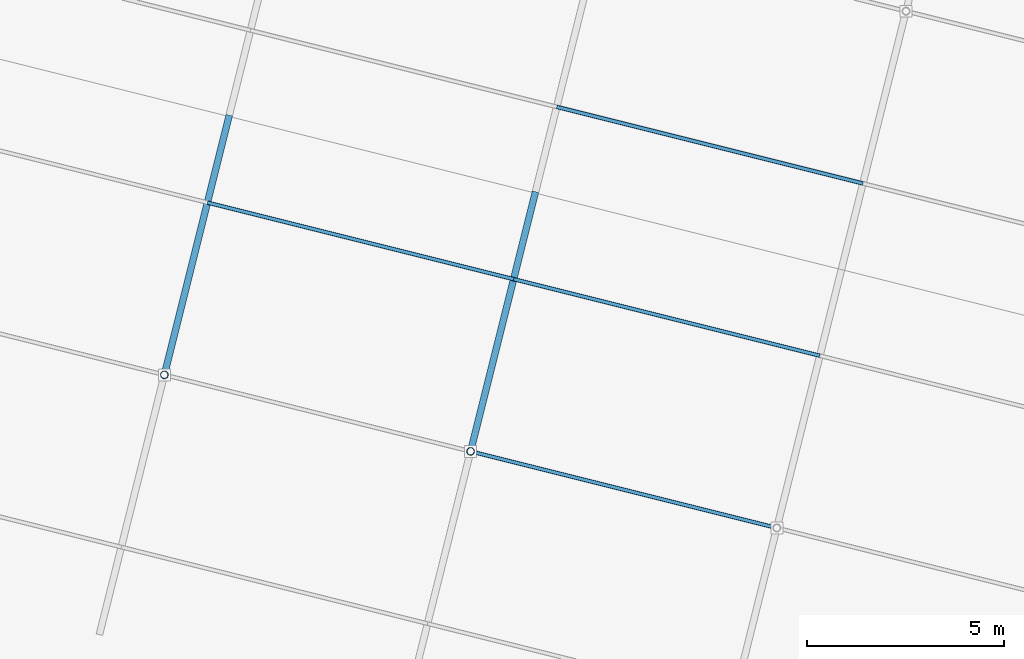
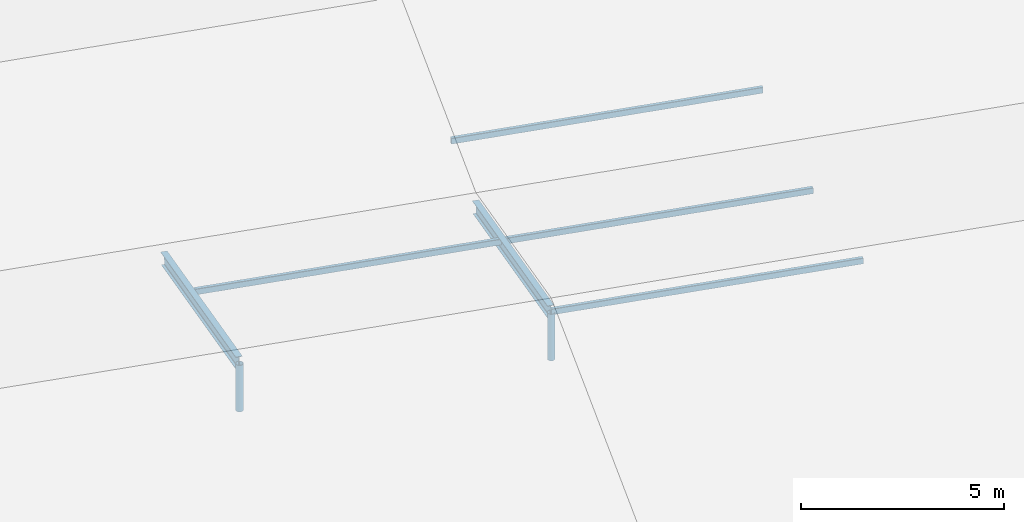
# One storey, part 53 of 107: 8 members.
"""IFC4 building model written with IfcOpenShell, lengths in metres."""

from ifc_helpers import new_model, si_unit, derived_unit, direction, frame, origin, origin_2d, place, context, subcontext, project, spatial, hollow_rectangle, hollow_circle, i_section, extrude, material, material_profile, profile_set, type_object, element, save


model = new_model("IFC4")

# Units and contexts
model_context = context("Model", 3, precision=1e-05, world=origin(), true_north=direction((0.0, 1.0)))
body_context = subcontext(model_context, "Body", "Model", "MODEL_VIEW")
ifc_project = project(units=[si_unit("LENGTHUNIT", "METRE"), si_unit("AREAUNIT", "SQUARE_METRE"), si_unit("VOLUMEUNIT", "CUBIC_METRE"), si_unit("PLANEANGLEUNIT", "RADIAN"), si_unit("MASSUNIT", "GRAM", prefix="KILO"), si_unit("THERMODYNAMICTEMPERATUREUNIT", "KELVIN"), si_unit("TIMEUNIT", "SECOND"), derived_unit("THERMALTRANSMITTANCEUNIT", [(si_unit("MASSUNIT", "GRAM", prefix="KILO"), 1), (si_unit("THERMODYNAMICTEMPERATUREUNIT", "KELVIN"), -1), (si_unit("TIMEUNIT", "SECOND"), -3)])], contexts=[model_context])

# Site, building, storey
site_placement = place(None, origin())
site = spatial("IfcSite", under=ifc_project, at=site_placement, CompositionType="ELEMENT")
building_placement = place(site_placement, origin())
building = spatial("IfcBuilding", under=site, at=building_placement, Name="Cambertide Market Hall", CompositionType="ELEMENT")
storey_placement = place(building_placement, frame((0.0, 0.0, 18.300048828125)))
storey = spatial("IfcBuildingStorey", under=building, at=storey_placement, Name="RF", CompositionType="ELEMENT", Elevation=18.300048828125)

# Members
ifc_material_1 = material(Name="Steel S355", Category="steel")
ifc_material_profile_1 = material_profile(ifc_material_1, i_section(OverallWidth=0.169921875, OverallDepth=0.360107421875, WebThickness=0.008056640625, FlangeThickness=0.0126953125, FilletRadius=0.01806640625, at=origin_2d()), Name="IPE 360")
ifc_profile_set_1 = profile_set([ifc_material_profile_1], Name="Steel S355")
member_type_1 = type_object("IfcMemberType", Name="Radial Fan Rafter IPE 360", PredefinedType="RAFTER", material=ifc_profile_set_1)
member_1_placement = place(storey_placement, frame((117.398193359375, 104.608154296875, 1.003173828125), z_axis=(0.237675269494, 0.950665635794, -0.199362271235), x_axis=(-0.970140372565, 0.242544135198, 0.0)))
element("IfcMember", 1, at=member_1_placement, inside=storey, type_object=member_type_1, Name="RAF-V4-2-2", PredefinedType="RAFTER", context=body_context, shape_type="SweptSolid", body=[
    extrude(i_section(OverallWidth=0.169921875, OverallDepth=0.360107421875, WebThickness=0.008056640625, FlangeThickness=0.0126953125, FilletRadius=0.01806640625, at=origin_2d()), origin(), (0.0, 0.0, 1.0), 6.888427734375),
])
member_2_placement = place(storey_placement, frame((125.159423828125, 102.66796875, 1.003173828125), z_axis=(0.2376832779, 0.950662224848, -0.199368988695), x_axis=(-0.970138244761, 0.242552645939, 0.0)))
element("IfcMember", 2, at=member_2_placement, inside=storey, type_object=member_type_1, Name="RAF-V4-3-2", PredefinedType="RAFTER", context=body_context, shape_type="SweptSolid", body=[
    extrude(i_section(OverallWidth=0.169921875, OverallDepth=0.360107421875, WebThickness=0.008056640625, FlangeThickness=0.0126953125, FilletRadius=0.01806640625, at=origin_2d()), origin(), (0.0, 0.0, 1.0), 6.88818359375),
])
ifc_material_2 = material(Name="Steel S275", Category="steel")
ifc_material_profile_2 = material_profile(ifc_material_2, hollow_rectangle(XDim=0.10009765625, YDim=0.179931640625, WallThickness=0.00634765625, InnerFilletRadius=0.00634765625, OuterFilletRadius=0.0126953125, at=origin_2d()), Name="RHS 180x100x6.3")
ifc_profile_set_2 = profile_set([ifc_material_profile_2], Name="Steel S275")
member_type_2 = type_object("IfcMemberType", Name="Roof Purlin RHS 180x100x6.3", PredefinedType="PURLIN", material=ifc_profile_set_2)
member_3_placement = place(storey_placement, frame((118.48974609375, 108.973876953125, 0.11767578125), z_axis=(0.970137114374, -0.242557167103, 0.0), x_axis=(0.242557167103, 0.970137114374, 0.0)))
element("IfcMember", 3, at=member_3_placement, inside=storey, type_object=member_type_2, Name="PUR-V4-2-112", PredefinedType="PURLIN", context=body_context, shape_type="SweptSolid", body=[
    extrude(hollow_rectangle(XDim=0.10009765625, YDim=0.179931640625, WallThickness=0.00634765625, InnerFilletRadius=0.00634765625, OuterFilletRadius=0.0126953125, at=origin_2d()), origin(), (0.0, 0.0, 1.0), 8.0),
])
member_4_placement = place(storey_placement, frame((125.159423828125, 102.66796875, 1.033203125), z_axis=(0.970138909791, -0.242549986002, 0.0), x_axis=(0.242549986002, 0.970138909791, 0.0)))
element("IfcMember", 4, at=member_4_placement, inside=storey, type_object=member_type_2, Name="PUR-V4-3-67", PredefinedType="PURLIN", context=body_context, shape_type="SweptSolid", body=[
    extrude(hollow_rectangle(XDim=0.10009765625, YDim=0.179931640625, WallThickness=0.00634765625, InnerFilletRadius=0.00634765625, OuterFilletRadius=0.0126953125, at=origin_2d()), origin(), (0.0, 0.0, 1.0), 8.000244140625),
])
member_5_placement = place(storey_placement, frame((126.250732421875, 107.033447265625, 0.11767578125), z_axis=(0.970146090314, -0.242521263911, 0.0), x_axis=(0.242521263911, 0.970146090314, 0.0)))
element("IfcMember", 5, at=member_5_placement, inside=storey, type_object=member_type_2, Name="PUR-V4-3-112", PredefinedType="PURLIN", context=body_context, shape_type="SweptSolid", body=[
    extrude(hollow_rectangle(XDim=0.10009765625, YDim=0.179931640625, WallThickness=0.00634765625, InnerFilletRadius=0.00634765625, OuterFilletRadius=0.0126953125, at=origin_2d()), origin(), (0.0, 0.0, 1.0), 8.0),
])
member_6_placement = place(storey_placement, frame((127.34228515625, 111.399169921875, 0.11767578125), z_axis=(0.970144295309, -0.242528444268, 0.0), x_axis=(0.242528444268, 0.970144295309, 0.0)))
element("IfcMember", 6, at=member_6_placement, inside=storey, type_object=member_type_2, Name="PUR-V4-3-157", PredefinedType="PURLIN", context=body_context, shape_type="SweptSolid", body=[
    extrude(hollow_rectangle(XDim=0.10009765625, YDim=0.179931640625, WallThickness=0.00634765625, InnerFilletRadius=0.00634765625, OuterFilletRadius=0.0126953125, at=origin_2d()), origin(), (0.0, 0.0, 1.0), 7.999755859375),
])
ifc_material_3 = material(Name="Steel S355", Category="steel")
ifc_material_profile_3 = material_profile(ifc_material_3, hollow_circle(Radius=0.096923828125, WallThickness=0.00634765625, at=origin_2d()), Name="CHS 193.7x6.3")
ifc_profile_set_3 = profile_set([ifc_material_profile_3], Name="Steel S355")
member_type_3 = type_object("IfcMemberType", Name="Structural Brace CHS 193.7x6.3", PredefinedType="BRACE", material=ifc_profile_set_3)
for number, where, z_axis, x_axis, name in (
    (7, (117.398193359375, 104.608154296875, -0.400146484375), (0.0, 0.0, 1.0), (1.0, 0.0, 0.0), "KP-V4-2-67"),
    (8, (125.159423828125, 102.66796875, -0.400146484375), (0.0, 0.0, 1.0), (1.0, 0.0, 0.0), "KP-V4-3-67"),
):
    element("IfcMember", number, at=place(storey_placement, frame(where, z_axis=z_axis, x_axis=x_axis)), inside=storey, type_object=member_type_3, Name=name, PredefinedType="BRACE", context=body_context, shape_type="SweptSolid", body=[
        extrude(hollow_circle(Radius=0.096923828125, WallThickness=0.00634765625, at=origin_2d()), origin(), (0.0, 0.0, 1.0), 1.4033203125),
    ])

save(model, "model.ifc")
